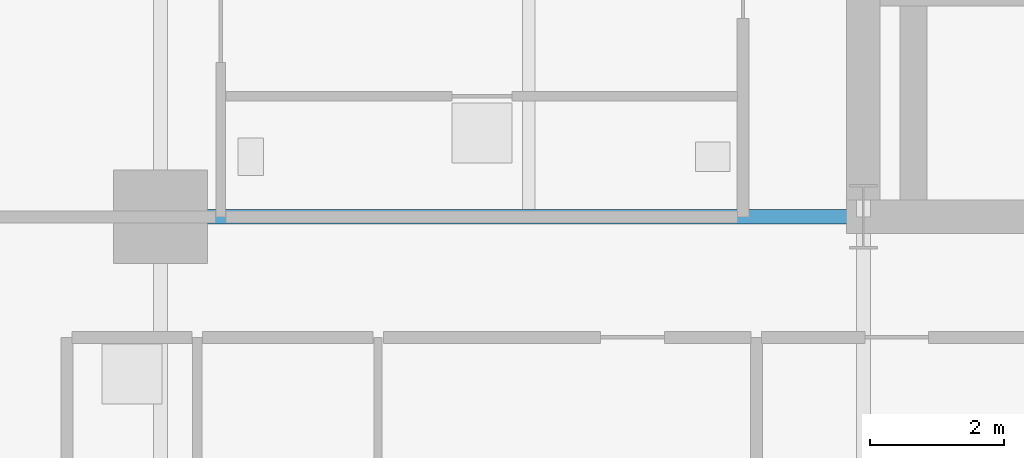
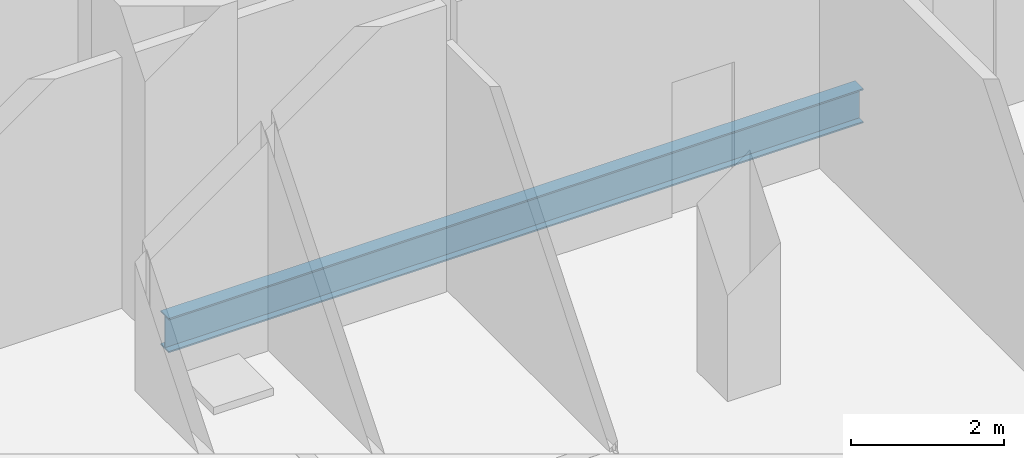
# One storey, part 7 of 33: 1 beam.
"""IFC4 building model written with IfcOpenShell, lengths in metres."""

from ifc_helpers import new_model, si_unit, direction, frame, origin, origin_2d, place, context, subcontext, project, spatial, i_section, extrude, material, material_profile, profile_set, type_object, element, save


model = new_model("IFC4")

# Units and contexts
model_context = context("Model", 3, precision=1e-05, world=origin(), true_north=direction((0.0, 1.0)))
body_context = subcontext(model_context, "Body", "Model", "MODEL_VIEW")
ifc_project = project(units=[si_unit("LENGTHUNIT", "METRE"), si_unit("AREAUNIT", "SQUARE_METRE"), si_unit("VOLUMEUNIT", "CUBIC_METRE"), si_unit("PLANEANGLEUNIT", "RADIAN"), si_unit("MASSUNIT", "GRAM", prefix="KILO")], contexts=[model_context])

# Site, building, storey
site_placement = place(None, origin())
site = spatial("IfcSite", under=ifc_project, at=site_placement, CompositionType="ELEMENT")
building_placement = place(site_placement, origin())
building = spatial("IfcBuilding", under=site, at=building_placement, Name="Barlavira Tower and Art Museum", CompositionType="ELEMENT")
storey_placement = place(building_placement, frame((0.0, 0.0, 27.60009765625)))
storey = spatial("IfcBuildingStorey", under=building, at=storey_placement, Name="L05", CompositionType="ELEMENT", Elevation=27.60009765625)

# Beam
ifc_material = material(Name="Steel S355", Category="steel")
ifc_material_profile = material_profile(ifc_material, i_section(OverallWidth=0.214111328125, OverallDepth=0.549072265625, WebThickness=0.0146484375, FlangeThickness=0.023681640625, at=origin_2d()), Name="W530x138.0")
ifc_profile_set = profile_set([ifc_material_profile], Name="Steel S355")
beam_type = type_object("IfcBeamType", Name="Zone 1 Primary Floor Girder W530x138 Steel S355", PredefinedType="BEAM", material=ifc_profile_set)
beam_placement = place(storey_placement, frame((-17.0, -7.5, -0.674560546875), z_axis=(1.0, 0.0, 0.0), x_axis=(0.0, 1.0, 0.0)))
element("IfcBeam", 1, at=beam_placement, inside=storey, type_object=beam_type, Name="L05 Girder R-W1", PredefinedType="BEAM", context=body_context, shape_type="SweptSolid", body=[
    extrude(i_section(OverallWidth=0.214111328125, OverallDepth=0.549072265625, WebThickness=0.0146484375, FlangeThickness=0.023681640625, at=origin_2d()), origin(), (0.0, 0.0, 1.0), 10.5),
])

save(model, "model.ifc")
